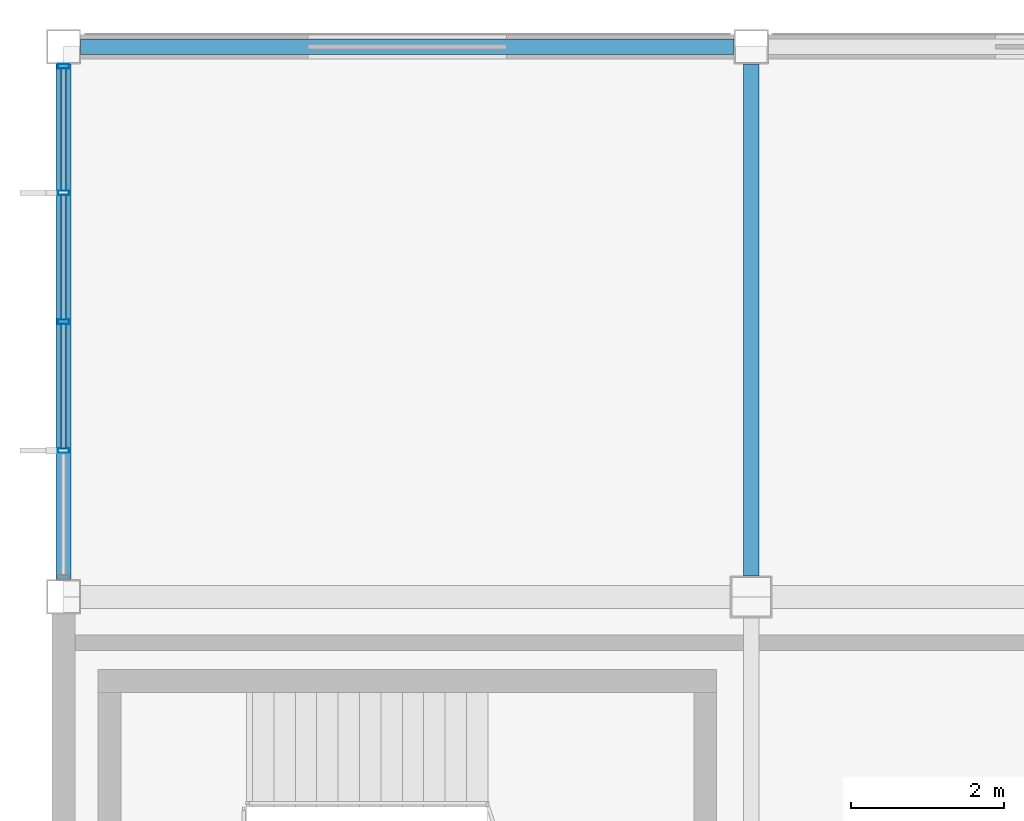
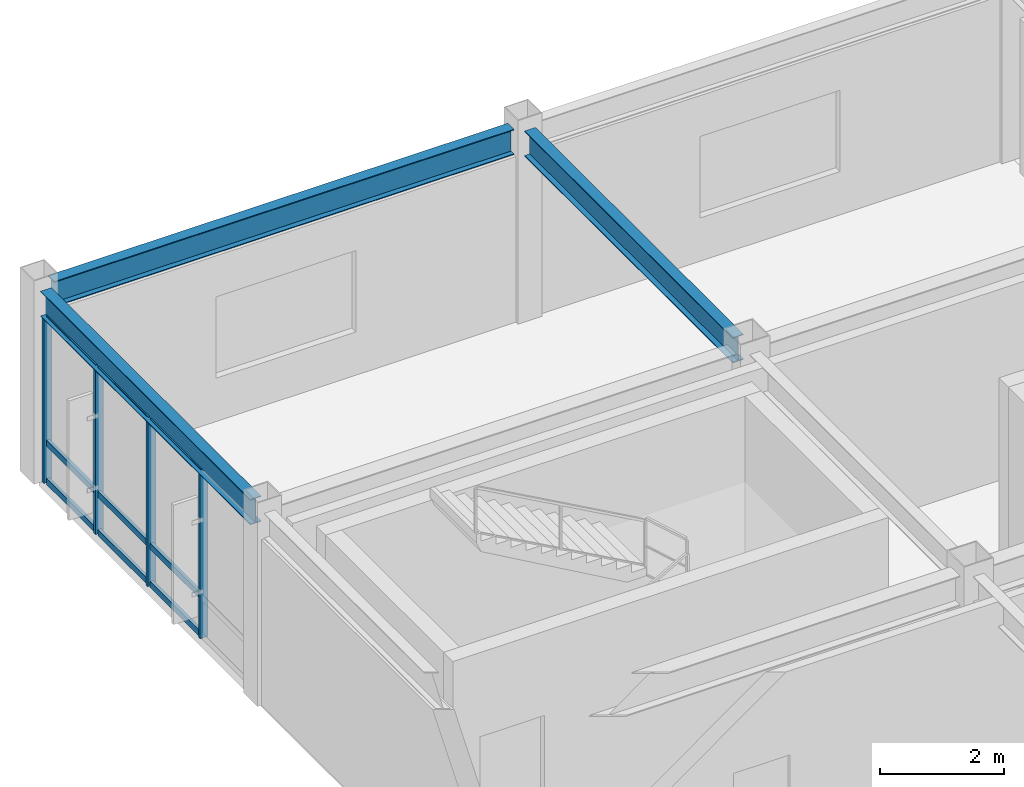
# One storey, part 57 of 122: 13 members, 3 beams, 1 element without a shape of its own.
"""IFC4 building model written with IfcOpenShell, lengths in metres."""

from ifc_helpers import new_model, si_unit, direction, frame, origin, origin_2d, place, context, subcontext, project, spatial, hollow_rectangle, i_section, extrude, material, material_profile, profile_set, type_object, element, aggregate, save


model = new_model("IFC4")

# Units and contexts
model_context = context("Model", 3, precision=1e-05, world=origin(), true_north=direction((0.0, 1.0)))
body_context = subcontext(model_context, "Body", "Model", "MODEL_VIEW")
ifc_project = project(units=[si_unit("LENGTHUNIT", "METRE"), si_unit("AREAUNIT", "SQUARE_METRE"), si_unit("VOLUMEUNIT", "CUBIC_METRE"), si_unit("PLANEANGLEUNIT", "RADIAN"), si_unit("MASSUNIT", "GRAM", prefix="KILO")], contexts=[model_context])

# Site, building, storey
site_placement = place(None, origin())
site = spatial("IfcSite", under=ifc_project, at=site_placement, CompositionType="ELEMENT")
building_placement = place(site_placement, origin())
building = spatial("IfcBuilding", under=site, at=building_placement, Name="Kazanami Central Library", CompositionType="ELEMENT")
storey_placement = place(building_placement, frame((0.0, 0.0, 4.800048828125)))
storey = spatial("IfcBuildingStorey", under=building, at=storey_placement, Name="L02", CompositionType="ELEMENT", Elevation=4.800048828125)

# Beams
ifc_material_1 = material(Name="Steel SN490B (325 MPa)", Category="steel")
ifc_material_profile_1 = material_profile(ifc_material_1, i_section(OverallWidth=0.199951171875, OverallDepth=0.5, WebThickness=0.010009765625, FlangeThickness=0.01611328125, at=origin_2d()), Name="H-500x200x10x16")
ifc_profile_set_1 = profile_set([ifc_material_profile_1], Name="Steel SN490B (325 MPa)")
beam_type_1 = type_object("IfcBeamType", Name="BM-G-Y2", PredefinedType="BEAM", material=ifc_profile_set_1)
beam_1_placement = place(storey_placement, frame((9.0, 86.673095703125, 3.5048828125), z_axis=(0.0, 1.0, 0.0), x_axis=(-1.0, 0.0, 0.0)))
element("IfcBeam", 1, at=beam_1_placement, inside=storey, type_object=beam_type_1, Name="Girder G-Y2 L02 2/N-O", PredefinedType="BEAM", context=body_context, shape_type="SweptSolid", body=[
    extrude(i_section(OverallWidth=0.199951171875, OverallDepth=0.5, WebThickness=0.010009765625, FlangeThickness=0.01611328125, at=origin_2d()), origin(), (0.0, 0.0, 1.0), 6.703857421875),
])
ifc_material_profile_2 = material_profile(ifc_material_1, i_section(OverallWidth=0.199951171875, OverallDepth=0.5, WebThickness=0.010009765625, FlangeThickness=0.01611328125, at=origin_2d()), Name="H-500x200x10x16")
ifc_profile_set_2 = profile_set([ifc_material_profile_2], Name="Steel SN490B (325 MPa)")
beam_type_2 = type_object("IfcBeamType", Name="BM-SP-1", PredefinedType="SPANDREL", material=ifc_profile_set_2)
beam_2_placement = place(storey_placement, frame((0.222900390625, 93.60009765625, 3.5048828125), z_axis=(1.0, 0.0, 0.0), x_axis=(0.0, 1.0, 0.0)))
element("IfcBeam", 2, at=beam_2_placement, inside=storey, type_object=beam_type_2, Name="Girder SP-1 L02 O/1-2", PredefinedType="SPANDREL", context=body_context, shape_type="SweptSolid", body=[
    extrude(i_section(OverallWidth=0.199951171875, OverallDepth=0.5, WebThickness=0.010009765625, FlangeThickness=0.01611328125, at=origin_2d()), origin(), (0.0, 0.0, 1.0), 8.55419921875),
])
beam_3_placement = place(storey_placement, frame((0.0, 86.623046875, 3.5048828125), z_axis=(0.0, 1.0, 0.0), x_axis=(-1.0, 0.0, 0.0)))
element("IfcBeam", 3, at=beam_3_placement, inside=storey, type_object=beam_type_2, Name="Girder SP-1 L02 1/N-O", PredefinedType="SPANDREL", context=body_context, shape_type="SweptSolid", body=[
    extrude(i_section(OverallWidth=0.199951171875, OverallDepth=0.5, WebThickness=0.010009765625, FlangeThickness=0.01611328125, at=origin_2d()), origin(), (0.0, 0.0, 1.0), 6.75390625),
])

# Curtain wall, members
ifc_material_2 = material(Name="Acid-Etched Low-E Laminated Glass", Category="glass")
curtain_wall_type = type_object("IfcCurtainWallType", Name="CW-6750x3255-M180", PredefinedType="USERDEFINED", material=ifc_material_2)
curtain_wall_placement = place(storey_placement, origin())
curtain_wall = element("IfcCurtainWall", 4, at=curtain_wall_placement, inside=storey, type_object=curtain_wall_type, Name="Unitised Curtain Wall CW-21 L02 W-1-12", ObjectType="UNITISED CURTAIN WALL", PredefinedType="USERDEFINED")
ifc_material_3 = material(Name="Anodised Aluminium A6063-T5", Category="aluminium")
ifc_material_profile_3 = material_profile(ifc_material_3, hollow_rectangle(XDim=0.06005859375, YDim=0.14990234375, WallThickness=0.00390625, at=origin_2d()), Name="ALU-MULL-60x150x4")
ifc_profile_set_3 = profile_set([ifc_material_profile_3], Name="Anodised Aluminium A6063-T5")
member_type_1 = type_object("IfcMemberType", Name="MEM-CW-M3", PredefinedType="MULLION", material=ifc_profile_set_3)
member_1_placement = place(storey_placement, frame((0.0, 88.3125, 0.0), z_axis=(0.0, 0.0, 1.0), x_axis=(0.0, 1.0, 0.0)))
member_1 = element("IfcMember", 5, at=member_1_placement, type_object=member_type_1, Name="CW-21 mullion 2", PredefinedType="MULLION", context=body_context, shape_type="SweptSolid", body=[
    extrude(hollow_rectangle(XDim=0.06005859375, YDim=0.14990234375, WallThickness=0.00390625, at=origin_2d()), origin(), (0.0, 0.0, 1.0), 3.2548828125),
])
member_2_placement = place(storey_placement, frame((0.0, 90.0, 0.0), z_axis=(0.0, 0.0, 1.0), x_axis=(0.0, 1.0, 0.0)))
member_2 = element("IfcMember", 6, at=member_2_placement, type_object=member_type_1, Name="CW-21 mullion 3", PredefinedType="MULLION", context=body_context, shape_type="SweptSolid", body=[
    extrude(hollow_rectangle(XDim=0.06005859375, YDim=0.14990234375, WallThickness=0.00390625, at=origin_2d()), origin(), (0.0, 0.0, 1.0), 3.2548828125),
])
member_3_placement = place(storey_placement, frame((0.0, 91.6875, 0.0), z_axis=(0.0, 0.0, 1.0), x_axis=(0.0, 1.0, 0.0)))
member_3 = element("IfcMember", 7, at=member_3_placement, type_object=member_type_1, Name="CW-21 mullion 4", PredefinedType="MULLION", context=body_context, shape_type="SweptSolid", body=[
    extrude(hollow_rectangle(XDim=0.06005859375, YDim=0.14990234375, WallThickness=0.00390625, at=origin_2d()), origin(), (0.0, 0.0, 1.0), 3.2548828125),
])
member_4_placement = place(storey_placement, frame((0.0, 93.344970703125, 0.0), z_axis=(0.0, 0.0, 1.0), x_axis=(0.0, 1.0, 0.0)))
member_4 = element("IfcMember", 8, at=member_4_placement, type_object=member_type_1, Name="CW-21 mullion 5", PredefinedType="MULLION", context=body_context, shape_type="SweptSolid", body=[
    extrude(hollow_rectangle(XDim=0.06005859375, YDim=0.14990234375, WallThickness=0.00390625, at=origin_2d()), origin(), (0.0, 0.0, 1.0), 3.2548828125),
])
ifc_material_profile_4 = material_profile(ifc_material_3, hollow_rectangle(XDim=0.06005859375, YDim=0.1201171875, WallThickness=0.00341796875, at=origin_2d()), Name="ALU-TRAN-60x120x3.5")
ifc_profile_set_4 = profile_set([ifc_material_profile_4], Name="Anodised Aluminium A6063-T5")
member_type_2 = type_object("IfcMemberType", Name="MEM-CW-T3", PredefinedType="USERDEFINED", material=ifc_profile_set_4)
member_5_placement = place(storey_placement, frame((0.0, 88.342529296875, 0.030029296875), z_axis=(0.0, 1.0, 0.0), x_axis=(-1.0, 0.0, 0.0)))
member_5 = element("IfcMember", 9, at=member_5_placement, type_object=member_type_2, Name="CW-21 transom 2.1", ObjectType="TRANSOM", PredefinedType="USERDEFINED", context=body_context, shape_type="SweptSolid", body=[
    extrude(hollow_rectangle(XDim=0.06005859375, YDim=0.1201171875, WallThickness=0.00341796875, at=origin_2d()), origin(), (0.0, 0.0, 1.0), 1.62744140625),
])
member_6_placement = place(storey_placement, frame((0.0, 88.342529296875, 0.780029296875), z_axis=(0.0, 1.0, 0.0), x_axis=(-1.0, 0.0, 0.0)))
member_6 = element("IfcMember", 10, at=member_6_placement, type_object=member_type_2, Name="CW-21 transom 2.2", ObjectType="TRANSOM", PredefinedType="USERDEFINED", context=body_context, shape_type="SweptSolid", body=[
    extrude(hollow_rectangle(XDim=0.06005859375, YDim=0.1201171875, WallThickness=0.00341796875, at=origin_2d()), origin(), (0.0, 0.0, 1.0), 1.62744140625),
])
member_7_placement = place(storey_placement, frame((0.0, 88.342529296875, 3.224853515625), z_axis=(0.0, 1.0, 0.0), x_axis=(-1.0, 0.0, 0.0)))
member_7 = element("IfcMember", 11, at=member_7_placement, type_object=member_type_2, Name="CW-21 transom 2.3", ObjectType="TRANSOM", PredefinedType="USERDEFINED", context=body_context, shape_type="SweptSolid", body=[
    extrude(hollow_rectangle(XDim=0.06005859375, YDim=0.1201171875, WallThickness=0.00341796875, at=origin_2d()), origin(), (0.0, 0.0, 1.0), 1.62744140625),
])
member_8_placement = place(storey_placement, frame((0.0, 90.030029296875, 0.030029296875), z_axis=(0.0, 1.0, 0.0), x_axis=(-1.0, 0.0, 0.0)))
member_8 = element("IfcMember", 12, at=member_8_placement, type_object=member_type_2, Name="CW-21 transom 3.1", ObjectType="TRANSOM", PredefinedType="USERDEFINED", context=body_context, shape_type="SweptSolid", body=[
    extrude(hollow_rectangle(XDim=0.06005859375, YDim=0.1201171875, WallThickness=0.00341796875, at=origin_2d()), origin(), (0.0, 0.0, 1.0), 1.62744140625),
])
member_9_placement = place(storey_placement, frame((0.0, 90.030029296875, 0.780029296875), z_axis=(0.0, 1.0, 0.0), x_axis=(-1.0, 0.0, 0.0)))
member_9 = element("IfcMember", 13, at=member_9_placement, type_object=member_type_2, Name="CW-21 transom 3.2", ObjectType="TRANSOM", PredefinedType="USERDEFINED", context=body_context, shape_type="SweptSolid", body=[
    extrude(hollow_rectangle(XDim=0.06005859375, YDim=0.1201171875, WallThickness=0.00341796875, at=origin_2d()), origin(), (0.0, 0.0, 1.0), 1.62744140625),
])
member_10_placement = place(storey_placement, frame((0.0, 90.030029296875, 3.224853515625), z_axis=(0.0, 1.0, 0.0), x_axis=(-1.0, 0.0, 0.0)))
member_10 = element("IfcMember", 14, at=member_10_placement, type_object=member_type_2, Name="CW-21 transom 3.3", ObjectType="TRANSOM", PredefinedType="USERDEFINED", context=body_context, shape_type="SweptSolid", body=[
    extrude(hollow_rectangle(XDim=0.06005859375, YDim=0.1201171875, WallThickness=0.00341796875, at=origin_2d()), origin(), (0.0, 0.0, 1.0), 1.62744140625),
])
member_11_placement = place(storey_placement, frame((0.0, 91.717529296875, 0.030029296875), z_axis=(0.0, 1.0, 0.0), x_axis=(-1.0, 0.0, 0.0)))
member_11 = element("IfcMember", 15, at=member_11_placement, type_object=member_type_2, Name="CW-21 transom 4.1", ObjectType="TRANSOM", PredefinedType="USERDEFINED", context=body_context, shape_type="SweptSolid", body=[
    extrude(hollow_rectangle(XDim=0.06005859375, YDim=0.1201171875, WallThickness=0.00341796875, at=origin_2d()), origin(), (0.0, 0.0, 1.0), 1.597412109375),
])
member_12_placement = place(storey_placement, frame((0.0, 91.717529296875, 0.780029296875), z_axis=(0.0, 1.0, 0.0), x_axis=(-1.0, 0.0, 0.0)))
member_12 = element("IfcMember", 16, at=member_12_placement, type_object=member_type_2, Name="CW-21 transom 4.2", ObjectType="TRANSOM", PredefinedType="USERDEFINED", context=body_context, shape_type="SweptSolid", body=[
    extrude(hollow_rectangle(XDim=0.06005859375, YDim=0.1201171875, WallThickness=0.00341796875, at=origin_2d()), origin(), (0.0, 0.0, 1.0), 1.597412109375),
])
member_13_placement = place(storey_placement, frame((0.0, 91.717529296875, 3.224853515625), z_axis=(0.0, 1.0, 0.0), x_axis=(-1.0, 0.0, 0.0)))
member_13 = element("IfcMember", 17, at=member_13_placement, type_object=member_type_2, Name="CW-21 transom 4.3", ObjectType="TRANSOM", PredefinedType="USERDEFINED", context=body_context, shape_type="SweptSolid", body=[
    extrude(hollow_rectangle(XDim=0.06005859375, YDim=0.1201171875, WallThickness=0.00341796875, at=origin_2d()), origin(), (0.0, 0.0, 1.0), 1.597412109375),
])
aggregate(curtain_wall, [member_1, member_2, member_3, member_4, member_5, member_6, member_7, member_8, member_9, member_10, member_11, member_12, member_13])

save(model, "model.ifc")
